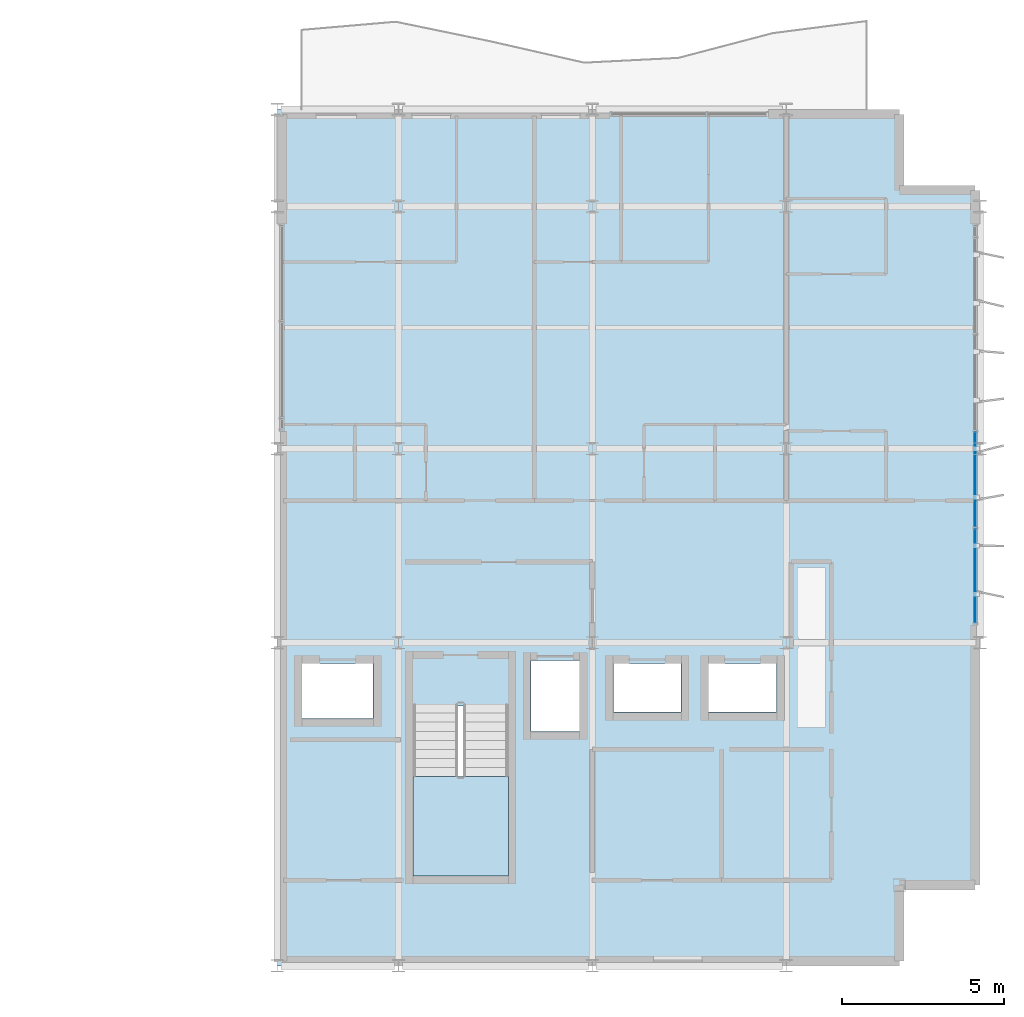
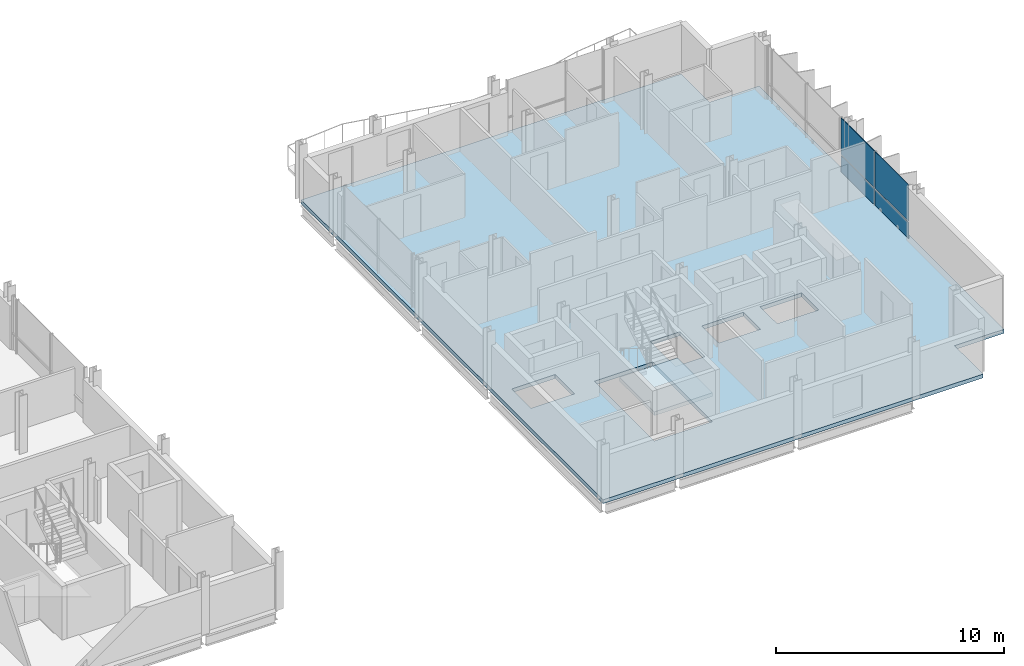
# One storey, part 17 of 29: 4 plates, 2 slabs, 2 elements without a shape of their own.
"""IFC4 building model written with IfcOpenShell, lengths in metres."""

import ifcopenshell
import ifcopenshell.guid

model = None  # the IFC model being written
_history = None  # IfcOwnerHistory: only IFC2X3 demands one
_inside = {}  # id of a spatial element -> (the spatial element, [elements in it])
_under = {}  # id of a project, library or spatial element -> (it, [spatial elements below it])
_declared = {}  # id of a project -> (the project, [libraries it declares])
_typed = {}  # id of a type object -> (the type object, [elements of that type])
_made_of = {}  # id of a material, layer set ... -> (it, [elements and type objects made of it])


def new_model(schema):
    """Start an empty IFC model of exactly this schema.

    Asked for "IFC4X3", IfcOpenShell would pick the latest addendum, in which some entities
    have other attributes; the version numbers below select the first issue.
    IFC2X3 requires an IfcOwnerHistory on every rooted entity: one is made here for all.
    """
    global model, _history
    if schema == "IFC4X3":
        model = ifcopenshell.file(schema_version=(4, 3, 0, 0))
    else:
        model = ifcopenshell.file(schema=schema)
    _inside.clear()
    _under.clear()
    _declared.clear()
    _typed.clear()
    _made_of.clear()
    _history = None
    if model.schema == "IFC2X3":
        org = make("IfcOrganization", Name="unknown")
        user = make(
            "IfcPersonAndOrganization",
            ThePerson=make("IfcPerson", FamilyName="unknown"),
            TheOrganization=org,
        )
        app = make(
            "IfcApplication",
            ApplicationDeveloper=org,
            Version="unknown",
            ApplicationFullName="unknown",
            ApplicationIdentifier="unknown",
        )
        _history = make(
            "IfcOwnerHistory",
            OwningUser=user,
            OwningApplication=app,
            ChangeAction="ADDED",
            CreationDate=0,
        )
    return model


def make(cls, **values):
    """One entity of the class cls with the attributes given. An attribute that is None is left unset."""
    return model.create_entity(
        cls, **{name: value for name, value in values.items() if value is not None}
    )


def rooted(cls, **values):
    """An entity with a GlobalId (a new one), such as an element, a storey or a relation."""
    return make(cls, GlobalId=ifcopenshell.guid.new(), OwnerHistory=_history, **values)


def si_unit(unit_type, name, prefix=None):
    """IfcSIUnit, for example si_unit("LENGTHUNIT", "METRE", prefix="MILLI")."""
    return make("IfcSIUnit", UnitType=unit_type, Prefix=prefix, Name=name)


def assignment(units):
    """IfcUnitAssignment: the units of a project."""
    return None if units is None else make("IfcUnitAssignment", Units=units)


def point(xyz):
    """IfcCartesianPoint."""
    return None if xyz is None else make("IfcCartesianPoint", Coordinates=xyz)


def direction(xyz):
    """IfcDirection."""
    return None if xyz is None else make("IfcDirection", DirectionRatios=xyz)


def frame(location, z_axis=None, x_axis=None):
    """IfcAxis2Placement3D, a coordinate frame: its origin and axes. An axis left out is left unset."""
    return make(
        "IfcAxis2Placement3D",
        Location=point(location),
        Axis=direction(z_axis),
        RefDirection=direction(x_axis),
    )


def frame_2d(location, x_axis=None):
    """IfcAxis2Placement2D, a coordinate frame in the plane: its origin and x axis."""
    return make(
        "IfcAxis2Placement2D", Location=point(location), RefDirection=direction(x_axis)
    )


def origin():
    """The frame at (0, 0, 0) with its axes left unset."""
    return frame((0.0, 0.0, 0.0))


def origin_2d():
    """The frame at (0, 0) in the plane with its x axis left unset."""
    return frame_2d((0.0, 0.0))


def place(relative_to, where):
    """IfcLocalPlacement: puts the frame where relative to a parent placement (None: the world)."""
    return make(
        "IfcLocalPlacement", PlacementRelTo=relative_to, RelativePlacement=where
    )


def context(
    kind, dimensions, precision=None, world=None, true_north=None, identifier=None
):
    """IfcGeometricRepresentationContext, for example the 3D "Model" context."""
    return make(
        "IfcGeometricRepresentationContext",
        ContextIdentifier=identifier,
        ContextType=kind,
        CoordinateSpaceDimension=dimensions,
        Precision=precision,
        WorldCoordinateSystem=world,
        TrueNorth=true_north,
    )


def subcontext(parent, identifier, kind, view, scale=None):
    """IfcGeometricRepresentationSubContext, for example "Body" below "Model"."""
    return make(
        "IfcGeometricRepresentationSubContext",
        ContextIdentifier=identifier,
        ContextType=kind,
        ParentContext=parent,
        TargetScale=scale,
        TargetView=view,
    )


def project(units=None, contexts=None):
    """IfcProject with its units and contexts."""
    return rooted(
        "IfcProject",
        Name="project",
        RepresentationContexts=contexts,
        UnitsInContext=assignment(units),
    )


def spatial(cls, under=None, at=None, **own):
    """A site, building, storey or space (cls), placed at a placement, below another one or the project."""
    s = rooted(cls, ObjectPlacement=at, **own)
    if under is not None:
        _under.setdefault(under.id(), (under, []))[1].append(s)
    return s


def polyline(points):
    """IfcPolyline through the points."""
    return make("IfcPolyline", Points=[point(p) for p in points])


def profile(cls, at=None, kind="AREA", **sizes):
    """A parametric profile (cls). Its sizes go by their IFC names, for example OverallWidth=200.0."""
    return make(cls, ProfileType=kind, Position=at, **sizes)


def rectangle(**sizes):
    """IfcRectangleProfileDef."""
    return profile("IfcRectangleProfileDef", **sizes)


def outline(outer, holes=None, kind="AREA"):
    """IfcArbitraryClosedProfileDef: a profile drawn as a closed curve; with holes, ...WithVoids."""
    if holes is None:
        return make("IfcArbitraryClosedProfileDef", ProfileType=kind, OuterCurve=outer)
    return make(
        "IfcArbitraryProfileDefWithVoids",
        ProfileType=kind,
        OuterCurve=outer,
        InnerCurves=holes,
    )


def extrude(swept, where, along, depth):
    """IfcExtrudedAreaSolid: the profile swept, set in the frame where, extruded along a direction by depth."""
    return make(
        "IfcExtrudedAreaSolid",
        SweptArea=swept,
        Position=where,
        ExtrudedDirection=direction(along),
        Depth=depth,
    )


def shape(context_of_items, identifier, shape_type, items):
    """IfcShapeRepresentation: the items that make up one representation, for example the "Body"."""
    return make(
        "IfcShapeRepresentation",
        ContextOfItems=context_of_items,
        RepresentationIdentifier=identifier,
        RepresentationType=shape_type,
        Items=items,
    )


def material(Name=None, Category=None):
    """IfcMaterial."""
    return make("IfcMaterial", Name=Name, Category=Category)


def layer(
    of_material, thickness, ventilated=None, Name=None, Category=None, Priority=None
):
    """IfcMaterialLayer: one layer of a wall or slab, of a material (None: an air gap)."""
    return make(
        "IfcMaterialLayer",
        Material=of_material,
        LayerThickness=thickness,
        IsVentilated=ventilated,
        Name=Name,
        Category=Category,
        Priority=Priority,
    )


def layer_set(layers, Name=None):
    """IfcMaterialLayerSet."""
    return make("IfcMaterialLayerSet", MaterialLayers=layers, LayerSetName=Name)


def made_of(thing, what):
    """Note that an element or type object is made of a material, layer set ...; save() writes the relation."""
    if what is not None:
        _made_of.setdefault(what.id(), (what, []))[1].append(thing)
    return thing


def type_object(cls, material=None, **own):
    """A type object (cls), such as IfcWallType, which elements share."""
    return made_of(rooted(cls, **own), material)


def element(
    cls,
    number,
    at=None,
    inside=None,
    cuts=None,
    type_object=None,
    material=None,
    context=None,
    identifier="Body",
    shape_type=None,
    held_by="IfcProductDefinitionShape",
    body=None,
    shapes=None,
    **own,
):
    """One element of the class cls, such as IfcWall. Its Tag is "e" and its number.

    at: its placement. inside: the storey or other place that contains it. cuts: it is an
    opening in that element (IfcRelVoidsElement). A single representation is given by context,
    identifier, shape_type and body (its items); several are given by shapes. held_by: the class
    of the entity that holds the representations. save() writes the other relations.
    """
    e = rooted(cls, Tag="e%d" % number, ObjectPlacement=at, **own)
    if body is not None:
        shapes = [shape(context, identifier, shape_type, body)]
    if shapes is not None:
        e.Representation = make(held_by, Representations=shapes)
    if inside is not None:
        _inside.setdefault(inside.id(), (inside, []))[1].append(e)
    if cuts is not None:
        rooted(
            "IfcRelVoidsElement", RelatingBuildingElement=cuts, RelatedOpeningElement=e
        )
    if type_object is not None:
        _typed.setdefault(type_object.id(), (type_object, []))[1].append(e)
    return made_of(e, material)


def aggregate(whole, parts):
    """IfcRelAggregates: a whole, such as a stair, and the parts it consists of."""
    return rooted("IfcRelAggregates", RelatingObject=whole, RelatedObjects=parts)


def save(model, path):
    """Write the relations noted so far, then the file.

    IfcRelAggregates (storeys below a building ...), IfcRelContainedInSpatialStructure (elements
    in a storey), IfcRelDefinesByType, IfcRelAssociatesMaterial and IfcRelDeclares: one each for
    every whole, place, type object, material and project.
    """
    for whole, parts in _under.values():
        aggregate(whole, parts)
    for where, things in _inside.values():
        rooted(
            "IfcRelContainedInSpatialStructure",
            RelatedElements=things,
            RelatingStructure=where,
        )
    for kind, things in _typed.values():
        rooted("IfcRelDefinesByType", RelatedObjects=things, RelatingType=kind)
    for what, things in _made_of.values():
        rooted("IfcRelAssociatesMaterial", RelatedObjects=things, RelatingMaterial=what)
    for by, libraries in _declared.values():
        rooted("IfcRelDeclares", RelatingContext=by, RelatedDefinitions=libraries)
    model.write(path)


model = new_model("IFC4")

# Units and contexts
model_context = context("Model", 3, precision=1e-05, world=origin(), true_north=direction((0.0, 1.0)))
body_context = subcontext(model_context, "Body", "Model", "MODEL_VIEW")
ifc_project = project(units=[si_unit("LENGTHUNIT", "METRE"), si_unit("AREAUNIT", "SQUARE_METRE"), si_unit("VOLUMEUNIT", "CUBIC_METRE"), si_unit("PLANEANGLEUNIT", "RADIAN"), si_unit("MASSUNIT", "GRAM", prefix="KILO")], contexts=[model_context])

# Site, building, storey
site_placement = place(None, origin())
site = spatial("IfcSite", under=ifc_project, at=site_placement, CompositionType="ELEMENT")
building_placement = place(site_placement, origin())
building = spatial("IfcBuilding", under=site, at=building_placement, Name="Brevholm Reach", CompositionType="ELEMENT")
storey_placement = place(building_placement, frame((0.0, 0.0, 198.699951171875)))
storey = spatial("IfcBuildingStorey", under=building, at=storey_placement, Name="L60", CompositionType="ELEMENT", Elevation=198.699951171875)

# Curtain wall, plates
ifc_material_1 = material(Name="Dark Anodised Aluminium 6063-T6 and Solar-Control Glass", Category="aluminium")
ifc_layer_1 = layer(ifc_material_1, 0.14990234375)
ifc_layer_set_1 = layer_set([ifc_layer_1], Name="Dark Anodised Aluminium 6063-T6 and Solar-Control Glass")
curtain_wall_type = type_object("IfcCurtainWallType", Name="CW-01", PredefinedType="NOTDEFINED", material=ifc_layer_set_1)
curtain_wall_placement = place(storey_placement, origin())
curtain_wall = element("IfcCurtainWall", 1, at=curtain_wall_placement, inside=storey, type_object=curtain_wall_type, Name="L60 Curtain Wall CW-01", PredefinedType="NOTDEFINED")
ifc_material_2 = material(Name="Dark Solar-Control Double-Glazed IGU Glass", Category="glass")
ifc_layer_2 = layer(ifc_material_2, 0.028076171875)
ifc_layer_set_2 = layer_set([ifc_layer_2], Name="Dark Solar-Control Double-Glazed IGU Glass")
plate_type = type_object("IfcPlateType", Name="CWP-GLZ-28", PredefinedType="CURTAIN_PANEL", material=ifc_layer_set_2)
plate_1_placement = place(storey_placement, frame((59.85009765625, 12.066162109375, 0.0), z_axis=(0.0, 0.0, 1.0), x_axis=(0.0, 1.0, 0.0)))
plate_1 = element("IfcPlate", 2, at=plate_1_placement, type_object=plate_type, Name="CP-01 Glazing Panel 1.1", PredefinedType="CURTAIN_PANEL", context=body_context, shape_type="SweptSolid", body=[
    extrude(rectangle(XDim=2.902587890625, YDim=0.028076171875, at=origin_2d()), origin(), (0.0, 0.0, 1.0), 0.867431640625),
])
plate_2_placement = place(storey_placement, frame((59.85009765625, 12.066162109375, 0.9326171875), z_axis=(0.0, 0.0, 1.0), x_axis=(0.0, 1.0, 0.0)))
plate_2 = element("IfcPlate", 3, at=plate_2_placement, type_object=plate_type, Name="CP-01 Glazing Panel 1.2", PredefinedType="CURTAIN_PANEL", context=body_context, shape_type="SweptSolid", body=[
    extrude(rectangle(XDim=2.902587890625, YDim=0.028076171875, at=origin_2d()), origin(), (0.0, 0.0, 1.0), 1.95751953125),
])
plate_3_placement = place(storey_placement, frame((59.85009765625, 15.050048828125, 0.0), z_axis=(0.0, 0.0, 1.0), x_axis=(0.0, 1.0, 0.0)))
plate_3 = element("IfcPlate", 4, at=plate_3_placement, type_object=plate_type, Name="CP-01 Glazing Panel 2.1", PredefinedType="CURTAIN_PANEL", context=body_context, shape_type="SweptSolid", body=[
    extrude(rectangle(XDim=2.93505859375, YDim=0.028076171875, at=origin_2d()), origin(), (0.0, 0.0, 1.0), 0.867431640625),
])
plate_4_placement = place(storey_placement, frame((59.85009765625, 15.050048828125, 0.9326171875), z_axis=(0.0, 0.0, 1.0), x_axis=(0.0, 1.0, 0.0)))
plate_4 = element("IfcPlate", 5, at=plate_4_placement, type_object=plate_type, Name="CP-01 Glazing Panel 2.2", PredefinedType="CURTAIN_PANEL", context=body_context, shape_type="SweptSolid", body=[
    extrude(rectangle(XDim=2.93505859375, YDim=0.028076171875, at=origin_2d()), origin(), (0.0, 0.0, 1.0), 1.95751953125),
])
aggregate(curtain_wall, [plate_1, plate_2, plate_3, plate_4])

# Slab
ifc_material_3 = material(Name="Concrete C40/50", Category="concrete")
ifc_layer_3 = layer(ifc_material_3, 0.2099609375)
ifc_layer_set_3 = layer_set([ifc_layer_3], Name="Concrete C40/50")
slab_type_1 = type_object("IfcSlabType", Name="SLB-FL-210", PredefinedType="FLOOR", material=ifc_layer_set_3)
slab_1_placement = place(storey_placement, frame((0.0, 0.0, -0.2099609375)))
element("IfcSlab", 6, at=slab_1_placement, inside=storey, type_object=slab_type_1, Name="L60 Suspended Floor Slab (east-wing)", PredefinedType="FLOOR", context=body_context, shape_type="SweptSolid", body=[
    extrude(outline(polyline([(38.25, 0.0), (57.5, 0.0), (57.5, 2.5), (60.0, 2.5), (60.0, 24.0), (57.5, 24.0), (57.5, 26.5), (38.25, 26.5), (38.25, 0.0)]), holes=[polyline([(42.449951171875, 2.780029296875), (45.39990234375, 2.780029296875), (45.39990234375, 8.044921875), (42.449951171875, 8.044921875), (42.449951171875, 2.780029296875)]), polyline([(46.10009765625, 7.25), (47.60009765625, 7.25), (47.60009765625, 9.449951171875), (46.10009765625, 9.449951171875), (46.10009765625, 7.25)]), polyline([(39.02001953125, 7.64990234375), (41.219970703125, 7.64990234375), (41.219970703125, 9.35009765625), (39.02001953125, 9.35009765625), (39.02001953125, 7.64990234375)]), polyline([(48.64990234375, 7.85009765625), (50.75, 7.85009765625), (50.75, 9.35009765625), (48.64990234375, 9.35009765625), (48.64990234375, 7.85009765625)]), polyline([(51.60009765625, 7.85009765625), (53.699951171875, 7.85009765625), (53.699951171875, 9.35009765625), (51.60009765625, 9.35009765625), (51.60009765625, 7.85009765625)])]), origin(), (0.0, 0.0, 1.0), 0.2099609375),
])

# Stair, slab
ifc_material_4 = material(Name="Precast Concrete C40/50", Category="concrete")
stair_type = type_object("IfcStairType", Name="STR-ESC-1400", PredefinedType="DOUBLE_RETURN_STAIR", material=ifc_material_4)
stair_placement = place(storey_placement, origin())
stair = element("IfcStair", 7, at=stair_placement, inside=storey, type_object=stair_type, Name="L60 ST-2", PredefinedType="DOUBLE_RETURN_STAIR")
ifc_material_5 = material(Name="Concrete C40/50", Category="concrete")
ifc_layer_4 = layer(ifc_material_5, 0.199951171875)
ifc_layer_set_4 = layer_set([ifc_layer_4], Name="Concrete C40/50")
slab_type_2 = type_object("IfcSlabType", Name="SLB-LND-200", PredefinedType="LANDING", material=ifc_layer_set_4)
slab_2_placement = place(storey_placement, frame((0.0, 0.0, 1.35009765625)))
slab_2 = element("IfcSlab", 8, at=slab_2_placement, type_object=slab_type_2, Name="ST-2 landing 1", PredefinedType="LANDING", context=body_context, shape_type="SweptSolid", body=[
    extrude(outline(polyline([(42.449951171875, 5.860107421875), (42.449951171875, 2.780029296875), (45.39990234375, 2.780029296875), (45.39990234375, 5.860107421875), (42.449951171875, 5.860107421875)])), origin(), (0.0, 0.0, 1.0), 0.199951171875),
])
aggregate(stair, [slab_2])

save(model, "model.ifc")
